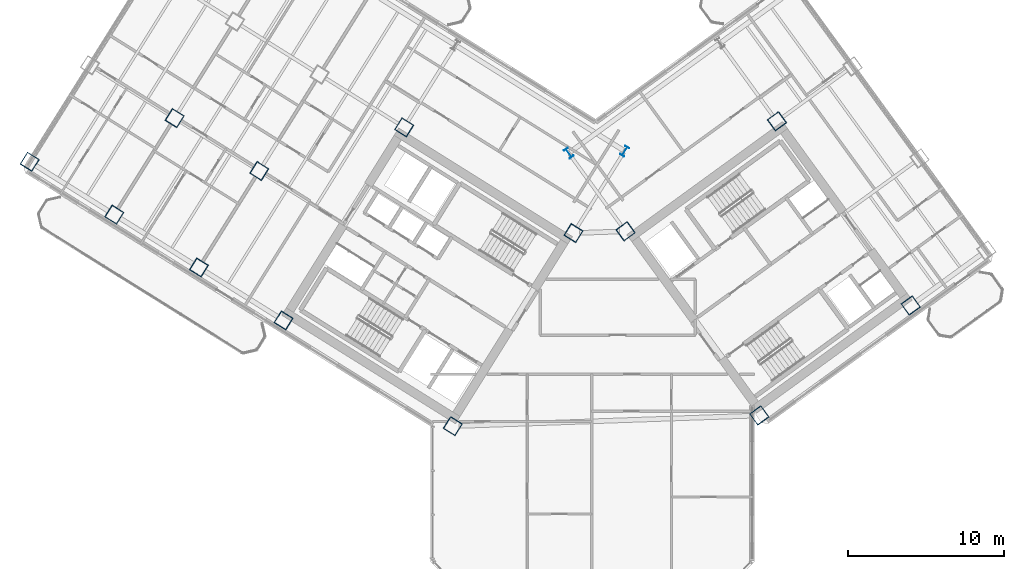
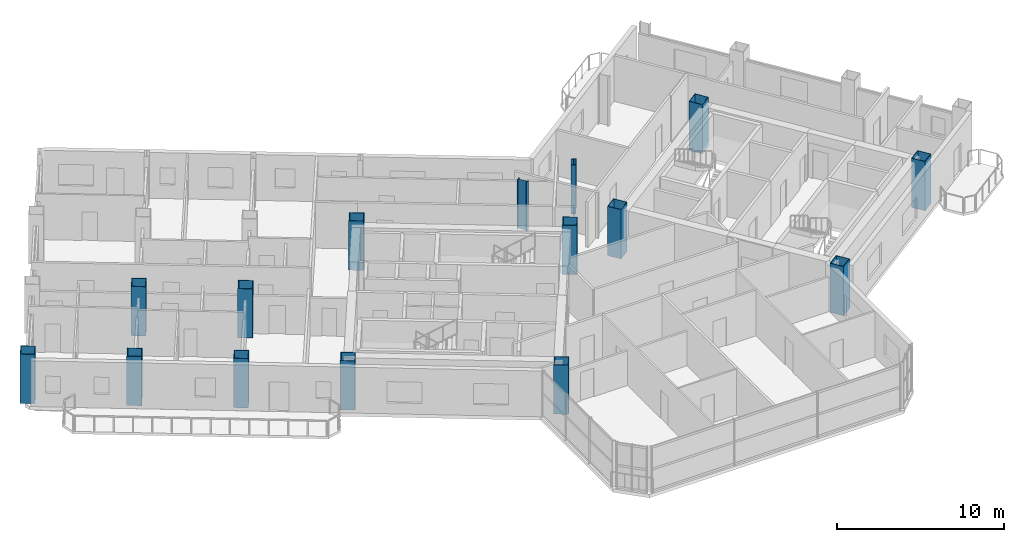
# One storey, part 1 of 21: 15 columns.
"""IFC4 building model written with IfcOpenShell, lengths in metres."""

import ifcopenshell
import ifcopenshell.guid

model = None  # the IFC model being written
_history = None  # IfcOwnerHistory: only IFC2X3 demands one
_inside = {}  # id of a spatial element -> (the spatial element, [elements in it])
_under = {}  # id of a project, library or spatial element -> (it, [spatial elements below it])
_declared = {}  # id of a project -> (the project, [libraries it declares])
_typed = {}  # id of a type object -> (the type object, [elements of that type])
_made_of = {}  # id of a material, layer set ... -> (it, [elements and type objects made of it])


def new_model(schema):
    """Start an empty IFC model of exactly this schema.

    Asked for "IFC4X3", IfcOpenShell would pick the latest addendum, in which some entities
    have other attributes; the version numbers below select the first issue.
    IFC2X3 requires an IfcOwnerHistory on every rooted entity: one is made here for all.
    """
    global model, _history
    if schema == "IFC4X3":
        model = ifcopenshell.file(schema_version=(4, 3, 0, 0))
    else:
        model = ifcopenshell.file(schema=schema)
    _inside.clear()
    _under.clear()
    _declared.clear()
    _typed.clear()
    _made_of.clear()
    _history = None
    if model.schema == "IFC2X3":
        org = make("IfcOrganization", Name="unknown")
        user = make(
            "IfcPersonAndOrganization",
            ThePerson=make("IfcPerson", FamilyName="unknown"),
            TheOrganization=org,
        )
        app = make(
            "IfcApplication",
            ApplicationDeveloper=org,
            Version="unknown",
            ApplicationFullName="unknown",
            ApplicationIdentifier="unknown",
        )
        _history = make(
            "IfcOwnerHistory",
            OwningUser=user,
            OwningApplication=app,
            ChangeAction="ADDED",
            CreationDate=0,
        )
    return model


def make(cls, **values):
    """One entity of the class cls with the attributes given. An attribute that is None is left unset."""
    return model.create_entity(
        cls, **{name: value for name, value in values.items() if value is not None}
    )


def rooted(cls, **values):
    """An entity with a GlobalId (a new one), such as an element, a storey or a relation."""
    return make(cls, GlobalId=ifcopenshell.guid.new(), OwnerHistory=_history, **values)


def si_unit(unit_type, name, prefix=None):
    """IfcSIUnit, for example si_unit("LENGTHUNIT", "METRE", prefix="MILLI")."""
    return make("IfcSIUnit", UnitType=unit_type, Prefix=prefix, Name=name)


def assignment(units):
    """IfcUnitAssignment: the units of a project."""
    return None if units is None else make("IfcUnitAssignment", Units=units)


def point(xyz):
    """IfcCartesianPoint."""
    return None if xyz is None else make("IfcCartesianPoint", Coordinates=xyz)


def direction(xyz):
    """IfcDirection."""
    return None if xyz is None else make("IfcDirection", DirectionRatios=xyz)


def frame(location, z_axis=None, x_axis=None):
    """IfcAxis2Placement3D, a coordinate frame: its origin and axes. An axis left out is left unset."""
    return make(
        "IfcAxis2Placement3D",
        Location=point(location),
        Axis=direction(z_axis),
        RefDirection=direction(x_axis),
    )


def frame_2d(location, x_axis=None):
    """IfcAxis2Placement2D, a coordinate frame in the plane: its origin and x axis."""
    return make(
        "IfcAxis2Placement2D", Location=point(location), RefDirection=direction(x_axis)
    )


def origin():
    """The frame at (0, 0, 0) with its axes left unset."""
    return frame((0.0, 0.0, 0.0))


def origin_2d():
    """The frame at (0, 0) in the plane with its x axis left unset."""
    return frame_2d((0.0, 0.0))


def place(relative_to, where):
    """IfcLocalPlacement: puts the frame where relative to a parent placement (None: the world)."""
    return make(
        "IfcLocalPlacement", PlacementRelTo=relative_to, RelativePlacement=where
    )


def context(
    kind, dimensions, precision=None, world=None, true_north=None, identifier=None
):
    """IfcGeometricRepresentationContext, for example the 3D "Model" context."""
    return make(
        "IfcGeometricRepresentationContext",
        ContextIdentifier=identifier,
        ContextType=kind,
        CoordinateSpaceDimension=dimensions,
        Precision=precision,
        WorldCoordinateSystem=world,
        TrueNorth=true_north,
    )


def subcontext(parent, identifier, kind, view, scale=None):
    """IfcGeometricRepresentationSubContext, for example "Body" below "Model"."""
    return make(
        "IfcGeometricRepresentationSubContext",
        ContextIdentifier=identifier,
        ContextType=kind,
        ParentContext=parent,
        TargetScale=scale,
        TargetView=view,
    )


def project(units=None, contexts=None):
    """IfcProject with its units and contexts."""
    return rooted(
        "IfcProject",
        Name="project",
        RepresentationContexts=contexts,
        UnitsInContext=assignment(units),
    )


def spatial(cls, under=None, at=None, **own):
    """A site, building, storey or space (cls), placed at a placement, below another one or the project."""
    s = rooted(cls, ObjectPlacement=at, **own)
    if under is not None:
        _under.setdefault(under.id(), (under, []))[1].append(s)
    return s


def profile(cls, at=None, kind="AREA", **sizes):
    """A parametric profile (cls). Its sizes go by their IFC names, for example OverallWidth=200.0."""
    return make(cls, ProfileType=kind, Position=at, **sizes)


def hollow_rectangle(**sizes):
    """IfcRectangleHollowProfileDef."""
    return profile("IfcRectangleHollowProfileDef", **sizes)


def i_section(**sizes):
    """IfcIShapeProfileDef."""
    return profile("IfcIShapeProfileDef", **sizes)


def extrude(swept, where, along, depth):
    """IfcExtrudedAreaSolid: the profile swept, set in the frame where, extruded along a direction by depth."""
    return make(
        "IfcExtrudedAreaSolid",
        SweptArea=swept,
        Position=where,
        ExtrudedDirection=direction(along),
        Depth=depth,
    )


def shape(context_of_items, identifier, shape_type, items):
    """IfcShapeRepresentation: the items that make up one representation, for example the "Body"."""
    return make(
        "IfcShapeRepresentation",
        ContextOfItems=context_of_items,
        RepresentationIdentifier=identifier,
        RepresentationType=shape_type,
        Items=items,
    )


def source(mapping_origin, context_of_items, identifier, shape_type, items):
    """IfcRepresentationMap: a shape defined once, which mapped items show again and again."""
    return make(
        "IfcRepresentationMap",
        MappingOrigin=mapping_origin,
        MappedRepresentation=shape(context_of_items, identifier, shape_type, items),
    )


def transform(
    local_origin,
    x_axis=None,
    y_axis=None,
    z_axis=None,
    scale=None,
    scale2=None,
    scale3=None,
    uniform=True,
):
    """IfcCartesianTransformationOperator3D, or its non-uniform kind. x_axis, y_axis, z_axis: its Axis1, 2, 3."""
    if uniform:
        return make(
            "IfcCartesianTransformationOperator3D",
            Axis1=direction(x_axis),
            Axis2=direction(y_axis),
            LocalOrigin=point(local_origin),
            Scale=scale,
            Axis3=direction(z_axis),
        )
    return make(
        "IfcCartesianTransformationOperator3DnonUniform",
        Axis1=direction(x_axis),
        Axis2=direction(y_axis),
        LocalOrigin=point(local_origin),
        Scale=scale,
        Axis3=direction(z_axis),
        Scale2=scale2,
        Scale3=scale3,
    )


def mapped(mapping_source, mapping_target):
    """IfcMappedItem: shows the shape of a source again, moved by a transform."""
    return make(
        "IfcMappedItem", MappingSource=mapping_source, MappingTarget=mapping_target
    )


def material(Name=None, Category=None):
    """IfcMaterial."""
    return make("IfcMaterial", Name=Name, Category=Category)


def material_profile(
    of_material, cross_section, Name=None, Category=None, Priority=None
):
    """IfcMaterialProfile: a cross section and its material."""
    return make(
        "IfcMaterialProfile",
        Name=Name,
        Material=of_material,
        Profile=cross_section,
        Priority=Priority,
        Category=Category,
    )


def profile_set(profiles, Name=None, composite=None):
    """IfcMaterialProfileSet."""
    return make(
        "IfcMaterialProfileSet",
        Name=Name,
        MaterialProfiles=profiles,
        CompositeProfile=composite,
    )


def made_of(thing, what):
    """Note that an element or type object is made of a material, layer set ...; save() writes the relation."""
    if what is not None:
        _made_of.setdefault(what.id(), (what, []))[1].append(thing)
    return thing


def type_object(cls, material=None, **own):
    """A type object (cls), such as IfcWallType, which elements share."""
    return made_of(rooted(cls, **own), material)


def element(
    cls,
    number,
    at=None,
    inside=None,
    cuts=None,
    type_object=None,
    material=None,
    context=None,
    identifier="Body",
    shape_type=None,
    held_by="IfcProductDefinitionShape",
    body=None,
    shapes=None,
    **own,
):
    """One element of the class cls, such as IfcWall. Its Tag is "e" and its number.

    at: its placement. inside: the storey or other place that contains it. cuts: it is an
    opening in that element (IfcRelVoidsElement). A single representation is given by context,
    identifier, shape_type and body (its items); several are given by shapes. held_by: the class
    of the entity that holds the representations. save() writes the other relations.
    """
    e = rooted(cls, Tag="e%d" % number, ObjectPlacement=at, **own)
    if body is not None:
        shapes = [shape(context, identifier, shape_type, body)]
    if shapes is not None:
        e.Representation = make(held_by, Representations=shapes)
    if inside is not None:
        _inside.setdefault(inside.id(), (inside, []))[1].append(e)
    if cuts is not None:
        rooted(
            "IfcRelVoidsElement", RelatingBuildingElement=cuts, RelatedOpeningElement=e
        )
    if type_object is not None:
        _typed.setdefault(type_object.id(), (type_object, []))[1].append(e)
    return made_of(e, material)


def aggregate(whole, parts):
    """IfcRelAggregates: a whole, such as a stair, and the parts it consists of."""
    return rooted("IfcRelAggregates", RelatingObject=whole, RelatedObjects=parts)


def save(model, path):
    """Write the relations noted so far, then the file.

    IfcRelAggregates (storeys below a building ...), IfcRelContainedInSpatialStructure (elements
    in a storey), IfcRelDefinesByType, IfcRelAssociatesMaterial and IfcRelDeclares: one each for
    every whole, place, type object, material and project.
    """
    for whole, parts in _under.values():
        aggregate(whole, parts)
    for where, things in _inside.values():
        rooted(
            "IfcRelContainedInSpatialStructure",
            RelatedElements=things,
            RelatingStructure=where,
        )
    for kind, things in _typed.values():
        rooted("IfcRelDefinesByType", RelatedObjects=things, RelatingType=kind)
    for what, things in _made_of.values():
        rooted("IfcRelAssociatesMaterial", RelatedObjects=things, RelatingMaterial=what)
    for by, libraries in _declared.values():
        rooted("IfcRelDeclares", RelatingContext=by, RelatedDefinitions=libraries)
    model.write(path)


model = new_model("IFC4")

# Units and contexts
model_context = context("Model", 3, precision=1e-05, world=origin(), true_north=direction((0.0, 1.0)))
body_context = subcontext(model_context, "Body", "Model", "MODEL_VIEW")
ifc_project = project(units=[si_unit("LENGTHUNIT", "METRE"), si_unit("AREAUNIT", "SQUARE_METRE"), si_unit("VOLUMEUNIT", "CUBIC_METRE"), si_unit("PLANEANGLEUNIT", "RADIAN"), si_unit("MASSUNIT", "GRAM", prefix="KILO")], contexts=[model_context])

# Site, building, storey
site_placement = place(None, origin())
site = spatial("IfcSite", under=ifc_project, at=site_placement, CompositionType="ELEMENT")
building_placement = place(site_placement, origin())
building = spatial("IfcBuilding", under=site, at=building_placement, Name="Tlacorven Tower", CompositionType="ELEMENT")
storey_placement = place(building_placement, frame((0.0, 0.0, 112.5)))
storey = spatial("IfcBuildingStorey", under=building, at=storey_placement, Name="L28", CompositionType="ELEMENT", Elevation=112.5)

# Columns
ifc_material = material(Name="Steel S460M", Category="steel")
ifc_material_profile_1 = material_profile(ifc_material, i_section(OverallWidth=0.300048828125, OverallDepth=0.64990234375, WebThickness=0.01611328125, FlangeThickness=0.031005859375, at=origin_2d()), Name="HEB 650")
ifc_profile_set_1 = profile_set([ifc_material_profile_1], Name="Steel S460M")
column_type_1 = type_object("IfcColumnType", Name="COL-TWR-P1", PredefinedType="COLUMN", material=ifc_profile_set_1)
shared_shape_1 = source(origin(), body_context, "Body", "SweptSolid", [
    extrude(i_section(OverallWidth=0.300048828125, OverallDepth=0.64990234375, WebThickness=0.01611328125, FlangeThickness=0.031005859375, at=origin_2d()), origin(), (0.0, 0.0, 1.0), 3.60009765625),
])
for number, where, z_axis, x_axis, name in (
    (1, (44.068359375, 29.726318359375, 0.0), (0.0, 0.0, 1.0), (-0.848048096156, 0.529919264233, 0.0), "L28 column COL-L28-W1-1"),
    (2, (40.4794921875, 29.60107421875, 0.0), (0.0, 0.0, 1.0), (0.809016994375, 0.587785252292, 0.0), "L28 column COL-L28-E1-4"),
):
    element("IfcColumn", number, at=place(storey_placement, frame(where, z_axis=z_axis, x_axis=x_axis)), inside=storey, type_object=column_type_1, Name=name, PredefinedType="COLUMN", context=body_context, shape_type="MappedRepresentation", body=[
        mapped(shared_shape_1, transform((0.0, 0.0, 0.0), scale=1.0)),
    ])
ifc_material_profile_2 = material_profile(ifc_material, hollow_rectangle(XDim=0.89990234375, YDim=0.89990234375, WallThickness=0.035888671875, at=origin_2d()), Name="BOX 900X900X36")
ifc_profile_set_2 = profile_set([ifc_material_profile_2], Name="Steel S460M")
column_type_2 = type_object("IfcColumnType", Name="COL-TWR-S2", PredefinedType="COLUMN", material=ifc_profile_set_2)
shared_shape_2 = source(origin(), body_context, "Body", "SweptSolid", [
    extrude(hollow_rectangle(XDim=0.89990234375, YDim=0.89990234375, WallThickness=0.035888671875, at=origin_2d()), origin(), (0.0, 0.0, 1.0), 3.60009765625),
])
for number, where, z_axis, x_axis, name in (
    (3, (40.782958984375, 24.468505859375, 0.0), (0.0, 0.0, 1.0), (-0.848048096156, 0.529919264233, 0.0), "L28 column COL-L28-W1-2"),
    (4, (33.046142578125, 12.0869140625, 0.0), (0.0, 0.0, 1.0), (-0.848048096156, 0.529919264233, 0.0), "L28 column COL-L28-W1-4"),
    (5, (29.927978515625, 31.25146484375, 0.0), (0.0, 0.0, 1.0), (-0.848048096156, 0.529919264233, 0.0), "L28 column COL-L28-W3-2"),
    (6, (22.191162109375, 18.869873046875, 0.0), (0.0, 0.0, 1.0), (-0.848048096156, 0.529919264233, 0.0), "L28 column COL-L28-W3-4"),
    (7, (20.632080078125, 28.4521484375, 0.0), (0.0, 0.0, 1.0), (-0.848048096156, 0.529919264233, 0.0), "L28 column COL-L28-W4-3"),
    (8, (16.763671875, 22.26123046875, 0.0), (0.0, 0.0, 1.0), (-0.848048096156, 0.529919264233, 0.0), "L28 column COL-L28-W4-4"),
    (9, (15.20458984375, 31.843505859375, 0.0), (0.0, 0.0, 1.0), (-0.848048096156, 0.529919264233, 0.0), "L28 column COL-L28-W5-3"),
    (10, (11.336181640625, 25.65283203125, 0.0), (0.0, 0.0, 1.0), (-0.848048096156, 0.529919264233, 0.0), "L28 column COL-L28-W5-4"),
    (11, (5.90869140625, 29.044189453125, 0.0), (0.0, 0.0, 1.0), (-0.848048096156, 0.529919264233, 0.0), "L28 column COL-L28-W6-4"),
    (12, (52.705322265625, 12.7734375, 0.0), (0.0, 0.0, 1.0), (0.809016994375, 0.587785252292, 0.0), "L28 column COL-L28-E1-1"),
    (13, (44.123779296875, 24.5849609375, 0.0), (0.0, 0.0, 1.0), (0.809016994375, 0.587785252292, 0.0), "L28 column COL-L28-E1-3"),
    (14, (62.41357421875, 19.826904296875, 0.0), (0.0, 0.0, 1.0), (0.809016994375, 0.587785252292, 0.0), "L28 column COL-L28-E3-1"),
    (15, (53.83203125, 31.638427734375, 0.0), (0.0, 0.0, 1.0), (0.809016994375, 0.587785252292, 0.0), "L28 column COL-L28-E3-3"),
):
    element("IfcColumn", number, at=place(storey_placement, frame(where, z_axis=z_axis, x_axis=x_axis)), inside=storey, type_object=column_type_2, Name=name, PredefinedType="COLUMN", context=body_context, shape_type="MappedRepresentation", body=[
        mapped(shared_shape_2, transform((0.0, 0.0, 0.0), scale=1.0)),
    ])

save(model, "model.ifc")
